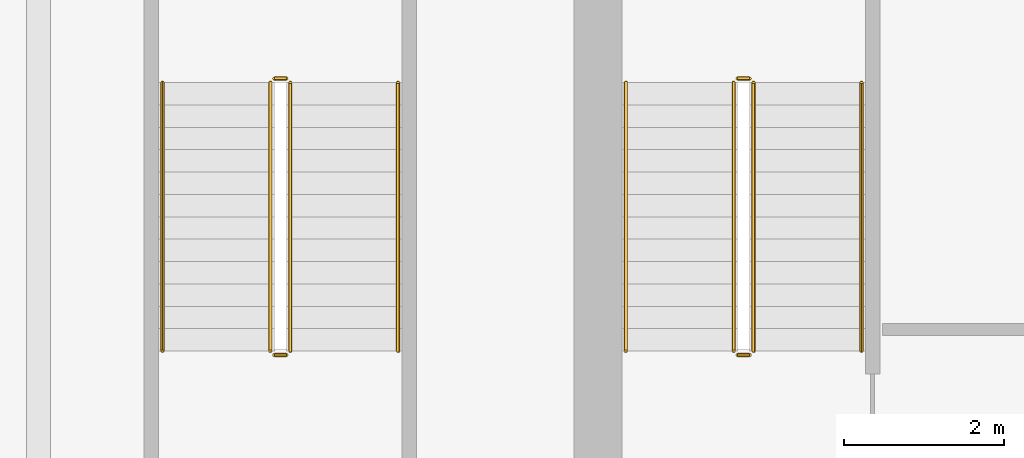
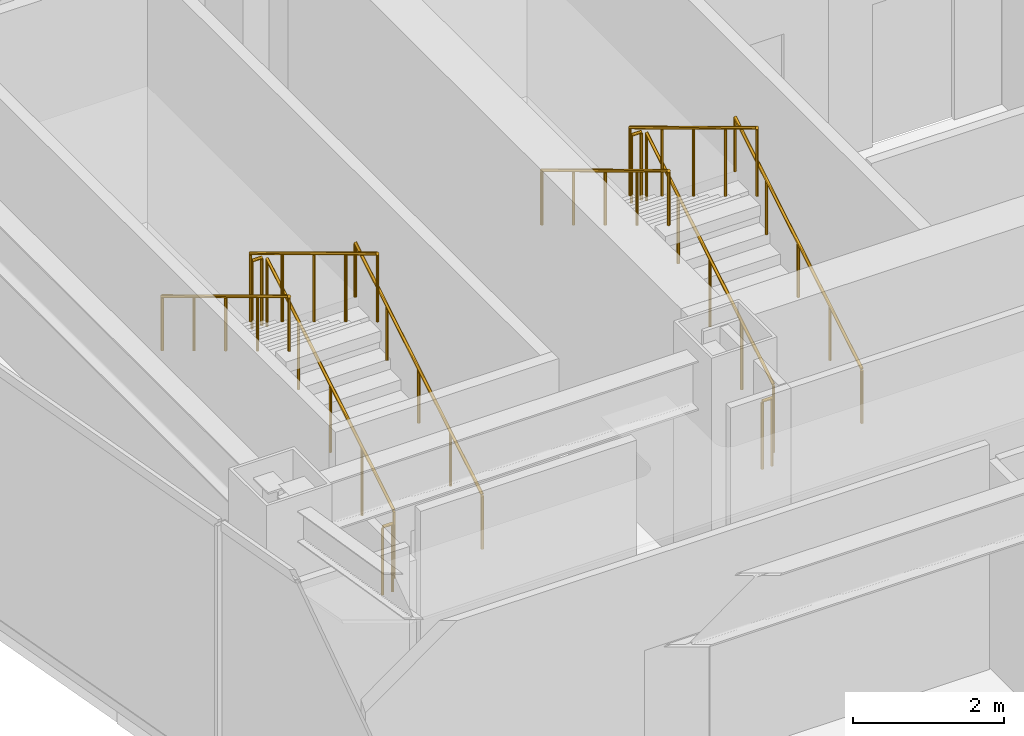
# One storey, part 33 of 35: 12 railings.
"""IFC4 building model written with IfcOpenShell, lengths in metres."""

from ifc_helpers import new_model, si_unit, direction, frame, origin, origin_2d, place, context, subcontext, project, spatial, circle, extrude, material, type_object, element, save


model = new_model("IFC4")

# Units and contexts
model_context = context("Model", 3, precision=1e-05, world=origin(), true_north=direction((0.0, 1.0)))
body_context = subcontext(model_context, "Body", "Model", "MODEL_VIEW")
ifc_project = project(units=[si_unit("LENGTHUNIT", "METRE"), si_unit("AREAUNIT", "SQUARE_METRE"), si_unit("VOLUMEUNIT", "CUBIC_METRE"), si_unit("PLANEANGLEUNIT", "RADIAN"), si_unit("MASSUNIT", "GRAM", prefix="KILO")], contexts=[model_context])

# Site, building, storey
site_placement = place(None, origin())
site = spatial("IfcSite", under=ifc_project, at=site_placement, CompositionType="ELEMENT")
building_placement = place(site_placement, origin())
building = spatial("IfcBuilding", under=site, at=building_placement, Name="Saevonmaru Cultural Tower", CompositionType="ELEMENT")
storey_placement = place(building_placement, frame((0.0, 0.0, 101.60009765625)))
storey = spatial("IfcBuildingStorey", under=building, at=storey_placement, Name="L21", CompositionType="ELEMENT", Elevation=101.60009765625)

# Railings
ifc_material_1 = material(Name="Architectural Painted Steel", Category="steel")
railing_type_1 = type_object("IfcRailingType", Name="RL-STAIR-GUARD", PredefinedType="GUARDRAIL", material=ifc_material_1)
railing_1_placement = place(storey_placement, frame((15.75, 44.85009765625, 0.169189453125)))
element("IfcRailing", 1, at=railing_1_placement, inside=storey, type_object=railing_type_1, Name="L21 ST-1 stair guard 1", PredefinedType="GUARDRAIL", context=body_context, shape_type="SweptSolid", body=[
    extrude(circle(Radius=0.02392578125, at=origin_2d()), frame((0.0, 0.0, 1.09619140625), z_axis=(0.0, 0.855820338506, 0.51727318527), x_axis=(-1.0, 0.0, 0.0)), (0.0, 0.0, 1.0), 3.92578125),
    extrude(circle(Radius=0.02099609375, at=origin_2d()), origin(), (0.0, 0.0, 1.0), 1.072021484375),
    extrude(circle(Radius=0.02099609375, at=origin_2d()), frame((0.0, 0.83984375, 0.5078125)), (0.0, 0.0, 1.0), 1.072021484375),
    extrude(circle(Radius=0.02099609375, at=origin_2d()), frame((0.0, 1.679931640625, 1.015380859375)), (0.0, 0.0, 1.0), 1.072021484375),
    extrude(circle(Radius=0.02099609375, at=origin_2d()), frame((0.0, 2.52001953125, 1.52294921875)), (0.0, 0.0, 1.0), 1.072021484375),
    extrude(circle(Radius=0.02099609375, at=origin_2d()), frame((0.0, 3.35986328125, 2.03076171875)), (0.0, 0.0, 1.0), 1.072021484375),
])
railing_2_placement = place(storey_placement, frame((15.699951171875, 48.260009765625, 2.199951171875)))
element("IfcRailing", 2, at=railing_2_placement, inside=storey, type_object=railing_type_1, Name="L21 ST-1 stair guard 2", PredefinedType="GUARDRAIL", context=body_context, shape_type="SweptSolid", body=[
    extrude(circle(Radius=0.02392578125, at=origin_2d()), frame((0.0, 0.0, 1.09619140625), z_axis=(-1.0, 0.0, 0.0), x_axis=(0.0, -1.0, 0.0)), (0.0, 0.0, 1.0), 0.14990234375),
    extrude(circle(Radius=0.02099609375, at=origin_2d()), origin(), (0.0, 0.0, 1.0), 1.072021484375),
    extrude(circle(Radius=0.02099609375, at=origin_2d()), frame((-0.14990234375, 0.0, 0.0)), (0.0, 0.0, 1.0), 1.072021484375),
])
railing_3_placement = place(storey_placement, frame((15.5, 48.2099609375, 2.369140625)))
element("IfcRailing", 3, at=railing_3_placement, inside=storey, type_object=railing_type_1, Name="L21 ST-1 stair guard 3", PredefinedType="GUARDRAIL", context=body_context, shape_type="SweptSolid", body=[
    extrude(circle(Radius=0.02392578125, at=origin_2d()), frame((0.0, 0.0, 1.09619140625), z_axis=(0.0, -0.855820338506, 0.51727318527), x_axis=(1.0, 0.0, 0.0)), (0.0, 0.0, 1.0), 3.92578125),
    extrude(circle(Radius=0.02099609375, at=origin_2d()), origin(), (0.0, 0.0, 1.0), 1.072021484375),
    extrude(circle(Radius=0.02099609375, at=origin_2d()), frame((0.0, -0.83984375, 0.5078125)), (0.0, 0.0, 1.0), 1.072021484375),
    extrude(circle(Radius=0.02099609375, at=origin_2d()), frame((0.0, -1.679931640625, 1.015380859375)), (0.0, 0.0, 1.0), 1.072021484375),
    extrude(circle(Radius=0.02099609375, at=origin_2d()), frame((0.0, -2.52001953125, 1.52294921875)), (0.0, 0.0, 1.0), 1.072021484375),
    extrude(circle(Radius=0.02099609375, at=origin_2d()), frame((0.0, -3.35986328125, 2.03076171875)), (0.0, 0.0, 1.0), 1.072021484375),
])
railing_4_placement = place(storey_placement, frame((15.699951171875, 44.800048828125, 0.0)))
element("IfcRailing", 4, at=railing_4_placement, inside=storey, type_object=railing_type_1, Name="L21 ST-1 stair guard 4", PredefinedType="GUARDRAIL", context=body_context, shape_type="SweptSolid", body=[
    extrude(circle(Radius=0.02392578125, at=origin_2d()), frame((0.0, 0.0, 1.09619140625), z_axis=(-1.0, 0.0, 0.0), x_axis=(0.0, -1.0, 0.0)), (0.0, 0.0, 1.0), 0.14990234375),
    extrude(circle(Radius=0.02099609375, at=origin_2d()), origin(), (0.0, 0.0, 1.0), 1.072021484375),
    extrude(circle(Radius=0.02099609375, at=origin_2d()), frame((-0.14990234375, 0.0, 0.0)), (0.0, 0.0, 1.0), 1.072021484375),
])
railing_5_placement = place(storey_placement, frame((9.949951171875, 44.85009765625, 0.169189453125)))
element("IfcRailing", 5, at=railing_5_placement, inside=storey, type_object=railing_type_1, Name="L21 ST-3 stair guard 1", PredefinedType="GUARDRAIL", context=body_context, shape_type="SweptSolid", body=[
    extrude(circle(Radius=0.02392578125, at=origin_2d()), frame((0.0, 0.0, 1.09619140625), z_axis=(0.0, 0.855820338506, 0.51727318527), x_axis=(-1.0, 0.0, 0.0)), (0.0, 0.0, 1.0), 3.92578125),
    extrude(circle(Radius=0.02099609375, at=origin_2d()), origin(), (0.0, 0.0, 1.0), 1.072021484375),
    extrude(circle(Radius=0.02099609375, at=origin_2d()), frame((0.0, 0.83984375, 0.5078125)), (0.0, 0.0, 1.0), 1.072021484375),
    extrude(circle(Radius=0.02099609375, at=origin_2d()), frame((0.0, 1.679931640625, 1.015380859375)), (0.0, 0.0, 1.0), 1.072021484375),
    extrude(circle(Radius=0.02099609375, at=origin_2d()), frame((0.0, 2.52001953125, 1.52294921875)), (0.0, 0.0, 1.0), 1.072021484375),
    extrude(circle(Radius=0.02099609375, at=origin_2d()), frame((0.0, 3.35986328125, 2.03076171875)), (0.0, 0.0, 1.0), 1.072021484375),
])
railing_6_placement = place(storey_placement, frame((9.89990234375, 48.260009765625, 2.199951171875)))
element("IfcRailing", 6, at=railing_6_placement, inside=storey, type_object=railing_type_1, Name="L21 ST-3 stair guard 2", PredefinedType="GUARDRAIL", context=body_context, shape_type="SweptSolid", body=[
    extrude(circle(Radius=0.02392578125, at=origin_2d()), frame((0.0, 0.0, 1.09619140625), z_axis=(-1.0, 0.0, 0.0), x_axis=(0.0, -1.0, 0.0)), (0.0, 0.0, 1.0), 0.14990234375),
    extrude(circle(Radius=0.02099609375, at=origin_2d()), origin(), (0.0, 0.0, 1.0), 1.072021484375),
    extrude(circle(Radius=0.02099609375, at=origin_2d()), frame((-0.14990234375, 0.0, 0.0)), (0.0, 0.0, 1.0), 1.072021484375),
])
railing_7_placement = place(storey_placement, frame((9.699951171875, 48.2099609375, 2.369140625)))
element("IfcRailing", 7, at=railing_7_placement, inside=storey, type_object=railing_type_1, Name="L21 ST-3 stair guard 3", PredefinedType="GUARDRAIL", context=body_context, shape_type="SweptSolid", body=[
    extrude(circle(Radius=0.02392578125, at=origin_2d()), frame((0.0, 0.0, 1.09619140625), z_axis=(0.0, -0.855820338506, 0.51727318527), x_axis=(1.0, 0.0, 0.0)), (0.0, 0.0, 1.0), 3.92578125),
    extrude(circle(Radius=0.02099609375, at=origin_2d()), origin(), (0.0, 0.0, 1.0), 1.072021484375),
    extrude(circle(Radius=0.02099609375, at=origin_2d()), frame((0.0, -0.83984375, 0.5078125)), (0.0, 0.0, 1.0), 1.072021484375),
    extrude(circle(Radius=0.02099609375, at=origin_2d()), frame((0.0, -1.679931640625, 1.015380859375)), (0.0, 0.0, 1.0), 1.072021484375),
    extrude(circle(Radius=0.02099609375, at=origin_2d()), frame((0.0, -2.52001953125, 1.52294921875)), (0.0, 0.0, 1.0), 1.072021484375),
    extrude(circle(Radius=0.02099609375, at=origin_2d()), frame((0.0, -3.35986328125, 2.03076171875)), (0.0, 0.0, 1.0), 1.072021484375),
])
railing_8_placement = place(storey_placement, frame((9.89990234375, 44.800048828125, 0.0)))
element("IfcRailing", 8, at=railing_8_placement, inside=storey, type_object=railing_type_1, Name="L21 ST-3 stair guard 4", PredefinedType="GUARDRAIL", context=body_context, shape_type="SweptSolid", body=[
    extrude(circle(Radius=0.02392578125, at=origin_2d()), frame((0.0, 0.0, 1.09619140625), z_axis=(-1.0, 0.0, 0.0), x_axis=(0.0, -1.0, 0.0)), (0.0, 0.0, 1.0), 0.14990234375),
    extrude(circle(Radius=0.02099609375, at=origin_2d()), origin(), (0.0, 0.0, 1.0), 1.072021484375),
    extrude(circle(Radius=0.02099609375, at=origin_2d()), frame((-0.14990234375, 0.0, 0.0)), (0.0, 0.0, 1.0), 1.072021484375),
])
ifc_material_2 = material(Name="Satin Bronze Anodised Aluminium", Category="aluminium")
railing_type_2 = type_object("IfcRailingType", Name="RL-STAIR-HANDRAIL", PredefinedType="HANDRAIL", material=ifc_material_2)
railing_9_placement = place(storey_placement, frame((17.10009765625, 44.85009765625, 0.169189453125)))
element("IfcRailing", 9, at=railing_9_placement, inside=storey, type_object=railing_type_2, Name="L21 ST-1 stair handrail 1", PredefinedType="HANDRAIL", context=body_context, shape_type="SweptSolid", body=[
    extrude(circle(Radius=0.02392578125, at=origin_2d()), frame((0.0, 0.0, 0.8759765625), z_axis=(0.0, 0.855820338506, 0.51727318527), x_axis=(-1.0, 0.0, 0.0)), (0.0, 0.0, 1.0), 3.92578125),
    extrude(circle(Radius=0.02099609375, at=origin_2d()), origin(), (0.0, 0.0, 1.0), 0.851806640625),
    extrude(circle(Radius=0.02099609375, at=origin_2d()), frame((0.0, 0.83984375, 0.5078125)), (0.0, 0.0, 1.0), 0.851806640625),
    extrude(circle(Radius=0.02099609375, at=origin_2d()), frame((0.0, 1.679931640625, 1.015380859375)), (0.0, 0.0, 1.0), 0.851806640625),
    extrude(circle(Radius=0.02099609375, at=origin_2d()), frame((0.0, 2.52001953125, 1.52294921875)), (0.0, 0.0, 1.0), 0.851806640625),
    extrude(circle(Radius=0.02099609375, at=origin_2d()), frame((0.0, 3.35986328125, 2.03076171875)), (0.0, 0.0, 1.0), 0.851806640625),
])
railing_10_placement = place(storey_placement, frame((14.14990234375, 48.2099609375, 2.369140625)))
element("IfcRailing", 10, at=railing_10_placement, inside=storey, type_object=railing_type_2, Name="L21 ST-1 stair handrail 2", PredefinedType="HANDRAIL", context=body_context, shape_type="SweptSolid", body=[
    extrude(circle(Radius=0.02392578125, at=origin_2d()), frame((0.0, 0.0, 0.8759765625), z_axis=(0.0, -0.855820338506, 0.51727318527), x_axis=(1.0, 0.0, 0.0)), (0.0, 0.0, 1.0), 3.92578125),
    extrude(circle(Radius=0.02099609375, at=origin_2d()), origin(), (0.0, 0.0, 1.0), 0.851806640625),
    extrude(circle(Radius=0.02099609375, at=origin_2d()), frame((0.0, -0.83984375, 0.5078125)), (0.0, 0.0, 1.0), 0.851806640625),
    extrude(circle(Radius=0.02099609375, at=origin_2d()), frame((0.0, -1.679931640625, 1.015380859375)), (0.0, 0.0, 1.0), 0.851806640625),
    extrude(circle(Radius=0.02099609375, at=origin_2d()), frame((0.0, -2.52001953125, 1.52294921875)), (0.0, 0.0, 1.0), 0.851806640625),
    extrude(circle(Radius=0.02099609375, at=origin_2d()), frame((0.0, -3.35986328125, 2.03076171875)), (0.0, 0.0, 1.0), 0.851806640625),
])
railing_11_placement = place(storey_placement, frame((11.300048828125, 44.85009765625, 0.169189453125)))
element("IfcRailing", 11, at=railing_11_placement, inside=storey, type_object=railing_type_2, Name="L21 ST-3 stair handrail 1", PredefinedType="HANDRAIL", context=body_context, shape_type="SweptSolid", body=[
    extrude(circle(Radius=0.02392578125, at=origin_2d()), frame((0.0, 0.0, 0.8759765625), z_axis=(0.0, 0.855820338506, 0.51727318527), x_axis=(-1.0, 0.0, 0.0)), (0.0, 0.0, 1.0), 3.92578125),
    extrude(circle(Radius=0.02099609375, at=origin_2d()), origin(), (0.0, 0.0, 1.0), 0.851806640625),
    extrude(circle(Radius=0.02099609375, at=origin_2d()), frame((0.0, 0.83984375, 0.5078125)), (0.0, 0.0, 1.0), 0.851806640625),
    extrude(circle(Radius=0.02099609375, at=origin_2d()), frame((0.0, 1.679931640625, 1.015380859375)), (0.0, 0.0, 1.0), 0.851806640625),
    extrude(circle(Radius=0.02099609375, at=origin_2d()), frame((0.0, 2.52001953125, 1.52294921875)), (0.0, 0.0, 1.0), 0.851806640625),
    extrude(circle(Radius=0.02099609375, at=origin_2d()), frame((0.0, 3.35986328125, 2.03076171875)), (0.0, 0.0, 1.0), 0.851806640625),
])
railing_12_placement = place(storey_placement, frame((8.35009765625, 48.2099609375, 2.369140625)))
element("IfcRailing", 12, at=railing_12_placement, inside=storey, type_object=railing_type_2, Name="L21 ST-3 stair handrail 2", PredefinedType="HANDRAIL", context=body_context, shape_type="SweptSolid", body=[
    extrude(circle(Radius=0.02392578125, at=origin_2d()), frame((0.0, 0.0, 0.8759765625), z_axis=(0.0, -0.855820338506, 0.51727318527), x_axis=(1.0, 0.0, 0.0)), (0.0, 0.0, 1.0), 3.92578125),
    extrude(circle(Radius=0.02099609375, at=origin_2d()), origin(), (0.0, 0.0, 1.0), 0.851806640625),
    extrude(circle(Radius=0.02099609375, at=origin_2d()), frame((0.0, -0.83984375, 0.5078125)), (0.0, 0.0, 1.0), 0.851806640625),
    extrude(circle(Radius=0.02099609375, at=origin_2d()), frame((0.0, -1.679931640625, 1.015380859375)), (0.0, 0.0, 1.0), 0.851806640625),
    extrude(circle(Radius=0.02099609375, at=origin_2d()), frame((0.0, -2.52001953125, 1.52294921875)), (0.0, 0.0, 1.0), 0.851806640625),
    extrude(circle(Radius=0.02099609375, at=origin_2d()), frame((0.0, -3.35986328125, 2.03076171875)), (0.0, 0.0, 1.0), 0.851806640625),
])

save(model, "model.ifc")
